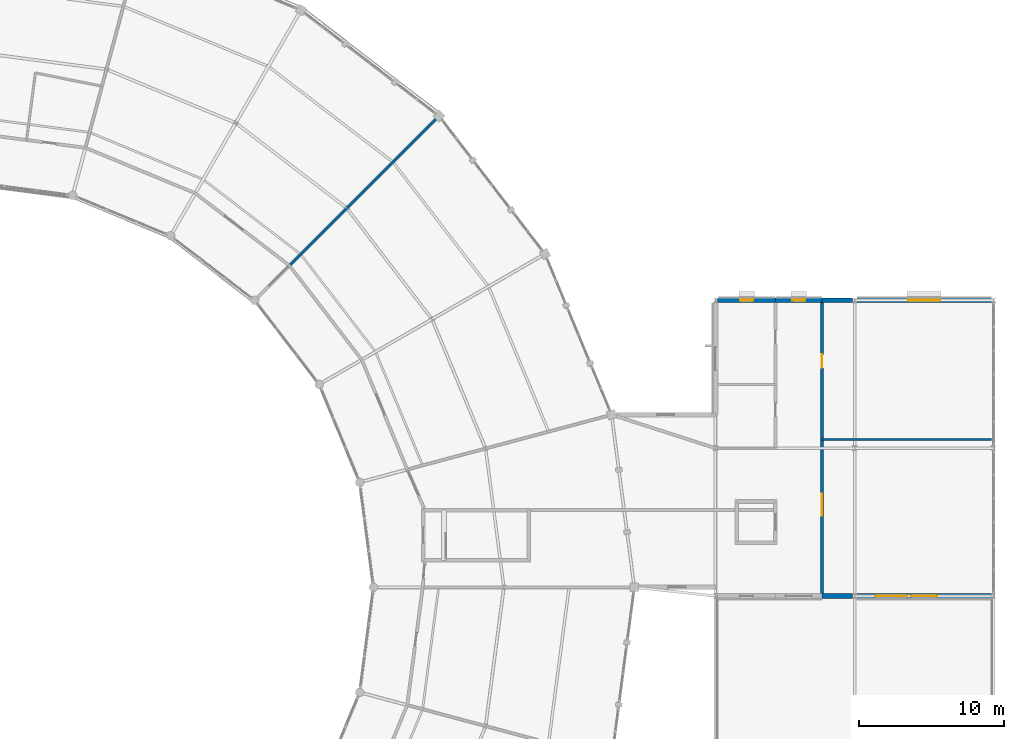
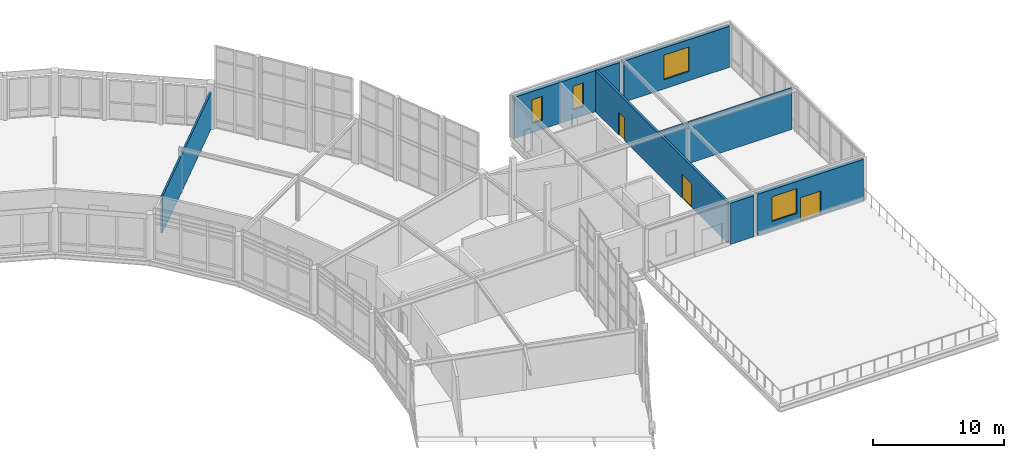
# One storey, part 167 of 185: 9 walls, 4 windows, 3 doors, 7 openings.
"""IFC4 building model written with IfcOpenShell, lengths in metres."""

from ifc_helpers import new_model, si_unit, direction, frame, frame_2d, origin, place, context, subcontext, project, spatial, rectangle, extrude, material, layer, layer_set, type_object, element, fill, save


model = new_model("IFC4")

# Units and contexts
model_context = context("Model", 3, precision=1e-05, world=origin(), true_north=direction((0.0, 1.0)))
body_context = subcontext(model_context, "Body", "Model", "MODEL_VIEW")
ifc_project = project(units=[si_unit("LENGTHUNIT", "METRE"), si_unit("AREAUNIT", "SQUARE_METRE"), si_unit("VOLUMEUNIT", "CUBIC_METRE"), si_unit("PLANEANGLEUNIT", "RADIAN"), si_unit("MASSUNIT", "GRAM", prefix="KILO")], contexts=[model_context])

# Site, building, storey
site_placement = place(None, origin())
site = spatial("IfcSite", under=ifc_project, at=site_placement, CompositionType="ELEMENT")
building_placement = place(site_placement, origin())
building = spatial("IfcBuilding", under=site, at=building_placement, Name="Vondelvale Polytechnic", CompositionType="ELEMENT")
storey_placement = place(building_placement, frame((0.0, 0.0, 9.60009765625)))
storey = spatial("IfcBuildingStorey", under=building, at=storey_placement, Name="L02", CompositionType="ELEMENT", Elevation=9.60009765625)

# Wall, opening, window
ifc_material_1 = material(Name="Amsterdam School iron-spot clinker clay brickwork", Category="masonry")
ifc_layer_1 = layer(ifc_material_1, 0.320068359375)
ifc_layer_set_1 = layer_set([ifc_layer_1], Name="WL-BRICK-320")
wall_type_1 = type_object("IfcWallType", Name="WL-BRICK-320", PredefinedType="SOLIDWALL", material=ifc_layer_set_1)
wall_1_placement = place(storey_placement, frame((153.7548828125, 91.800048828125, 0.0), z_axis=(0.0, 0.0, 1.0), x_axis=(1.0, 0.0, 0.0)))
wall_1 = element("IfcWall", 1, at=wall_1_placement, inside=storey, type_object=wall_type_1, Name="L02 exterior masonry facade wall", PredefinedType="SOLIDWALL", context=body_context, shape_type="SweptSolid", body=[
    extrude(rectangle(XDim=3.9951171875, YDim=0.320068359375, at=frame_2d((1.99755859375, 0.0))), origin(), (0.0, 0.0, 1.0), 3.82080078125),
])
opening_1_placement = place(wall_1_placement, frame((1.547607421875, 0.0, 0.85009765625)))
opening_1 = element("IfcOpeningElement", 2, at=opening_1_placement, cuts=wall_1, Name="Opening WN-0480", PredefinedType="OPENING", context=body_context, shape_type="SweptSolid", body=[
    extrude(rectangle(XDim=0.89990234375, YDim=2.199951171875, at=frame_2d((0.449951171875, 1.10009765625))), frame((0.0, 0.169921875, 0.0), z_axis=(0.0, -1.0, 0.0), x_axis=(1.0, 0.0, 0.0)), (0.0, 0.0, 1.0), 0.340087890625),
])
ifc_material_2 = material(Name="Double-glazed low-E insulated architectural glass", Category="glass")
window_type_1 = type_object("IfcWindowType", Name="WN-TUR-0900x2200", PartitioningType="SINGLE_PANEL", PredefinedType="WINDOW", material=ifc_material_2)
window_1_placement = place(opening_1_placement, origin())
window_1 = element("IfcWindow", 3, at=window_1_placement, inside=storey, type_object=window_type_1, Name="L02 double-glazed architectural window WN-0480", OverallHeight=2.199951171875, OverallWidth=0.89990234375, PartitioningType="SINGLE_PANEL", PredefinedType="WINDOW", context=body_context, shape_type="SweptSolid", body=[
    extrude(rectangle(XDim=0.89990234375, YDim=2.199951171875, at=frame_2d((0.449951171875, 1.10009765625))), frame((0.0, 0.030029296875, 0.0), z_axis=(0.0, -1.0, 0.0), x_axis=(1.0, 0.0, 0.0)), (0.0, 0.0, 1.0), 0.06005859375),
])
fill(opening_1, window_1)

wall_2_placement = place(storey_placement, frame((157.75, 91.800048828125, 0.0), z_axis=(0.0, 0.0, 1.0), x_axis=(1.0, 0.0, 0.0)))
wall_2 = element("IfcWall", 4, at=wall_2_placement, inside=storey, type_object=wall_type_1, Name="L02 exterior masonry facade wall", PredefinedType="SOLIDWALL", context=body_context, shape_type="SweptSolid", body=[
    extrude(rectangle(XDim=3.199951171875, YDim=0.320068359375, at=frame_2d((1.60009765625, 0.0))), origin(), (0.0, 0.0, 1.0), 3.82080078125),
])
opening_2_placement = place(wall_2_placement, frame((1.14990234375, 0.0, 0.85009765625)))
opening_2 = element("IfcOpeningElement", 5, at=opening_2_placement, cuts=wall_2, Name="Opening WN-0481", PredefinedType="OPENING", context=body_context, shape_type="SweptSolid", body=[
    extrude(rectangle(XDim=0.89990234375, YDim=2.199951171875, at=frame_2d((0.449951171875, 1.10009765625))), frame((0.0, 0.169921875, 0.0), z_axis=(0.0, -1.0, 0.0), x_axis=(1.0, 0.0, 0.0)), (0.0, 0.0, 1.0), 0.340087890625),
])
window_2_placement = place(opening_2_placement, origin())
window_2 = element("IfcWindow", 6, at=window_2_placement, inside=storey, type_object=window_type_1, Name="L02 double-glazed architectural window WN-0481", OverallHeight=2.199951171875, OverallWidth=0.89990234375, PartitioningType="SINGLE_PANEL", PredefinedType="WINDOW", context=body_context, shape_type="SweptSolid", body=[
    extrude(rectangle(XDim=0.89990234375, YDim=2.199951171875, at=frame_2d((0.449951171875, 1.10009765625))), frame((0.0, 0.030029296875, 0.0), z_axis=(0.0, -1.0, 0.0), x_axis=(1.0, 0.0, 0.0)), (0.0, 0.0, 1.0), 0.06005859375),
])
fill(opening_2, window_2)

# Wall
wall_3_placement = place(storey_placement, frame((160.949951171875, 91.800048828125, 0.0), z_axis=(0.0, 0.0, 1.0), x_axis=(1.0, 0.0, 0.0)))
element("IfcWall", 7, at=wall_3_placement, inside=storey, type_object=wall_type_1, Name="L02 exterior masonry facade wall", PredefinedType="SOLIDWALL", context=body_context, shape_type="SweptSolid", body=[
    extrude(rectangle(XDim=2.094970703125, YDim=0.320068359375, at=frame_2d((1.04736328125, 0.0))), origin(), (0.0, 0.0, 1.0), 3.82080078125),
])

# Wall, opening, window
wall_4_placement = place(storey_placement, frame((163.35498046875, 91.800048828125, 0.0), z_axis=(0.0, 0.0, 1.0), x_axis=(1.0, 0.0, 0.0)))
wall_4 = element("IfcWall", 8, at=wall_4_placement, inside=storey, type_object=wall_type_1, Name="L02 exterior masonry facade wall", PredefinedType="SOLIDWALL", context=body_context, shape_type="SweptSolid", body=[
    extrude(rectangle(XDim=9.2900390625, YDim=0.320068359375, at=frame_2d((4.64501953125, 0.0))), origin(), (0.0, 0.0, 1.0), 3.82080078125),
])
opening_3_placement = place(wall_4_placement, frame((3.544921875, 0.0, 0.85009765625)))
opening_3 = element("IfcOpeningElement", 9, at=opening_3_placement, cuts=wall_4, Name="Opening WN-0482", PredefinedType="OPENING", context=body_context, shape_type="SweptSolid", body=[
    extrude(rectangle(XDim=2.199951171875, YDim=2.300048828125, at=frame_2d((1.10009765625, 1.14990234375))), frame((0.0, 0.169921875, 0.0), z_axis=(0.0, -1.0, 0.0), x_axis=(1.0, 0.0, 0.0)), (0.0, 0.0, 1.0), 0.340087890625),
])
window_type_2 = type_object("IfcWindowType", Name="WN-STUDIO-2200x2300", PartitioningType="SINGLE_PANEL", PredefinedType="WINDOW", material=ifc_material_2)
window_3_placement = place(opening_3_placement, origin())
window_3 = element("IfcWindow", 10, at=window_3_placement, inside=storey, type_object=window_type_2, Name="L02 double-glazed architectural window WN-0482", OverallHeight=2.300048828125, OverallWidth=2.199951171875, PartitioningType="SINGLE_PANEL", PredefinedType="WINDOW", context=body_context, shape_type="SweptSolid", body=[
    extrude(rectangle(XDim=2.199951171875, YDim=2.300048828125, at=frame_2d((1.10009765625, 1.14990234375))), frame((0.0, 0.030029296875, 0.0), z_axis=(0.0, -1.0, 0.0), x_axis=(1.0, 0.0, 0.0)), (0.0, 0.0, 1.0), 0.06005859375),
])
fill(opening_3, window_3)

# Wall, openings, door, window
wall_5_placement = place(storey_placement, frame((172.64501953125, 71.39990234375, 0.0), z_axis=(0.0, 0.0, 1.0), x_axis=(-1.0, 0.0, 0.0)))
wall_5 = element("IfcWall", 11, at=wall_5_placement, inside=storey, type_object=wall_type_1, Name="L02 exterior masonry facade wall", PredefinedType="SOLIDWALL", context=body_context, shape_type="SweptSolid", body=[
    extrude(rectangle(XDim=9.2900390625, YDim=0.320068359375, at=frame_2d((4.64501953125, 0.0))), origin(), (0.0, 0.0, 1.0), 3.82080078125),
])
opening_4_placement = place(wall_5_placement, frame((3.7451171875, 0.0, 0.0)))
opening_4 = element("IfcOpeningElement", 12, at=opening_4_placement, cuts=wall_5, Name="Opening ED-040", PredefinedType="OPENING", context=body_context, shape_type="SweptSolid", body=[
    extrude(rectangle(XDim=1.800048828125, YDim=2.199951171875, at=frame_2d((0.89990234375, 1.10009765625))), frame((0.0, 0.169921875, 0.0), z_axis=(0.0, -1.0, 0.0), x_axis=(1.0, 0.0, 0.0)), (0.0, 0.0, 1.0), 0.340087890625),
])
opening_5_placement = place(wall_5_placement, frame((5.8349609375, 0.0, 0.85009765625)))
opening_5 = element("IfcOpeningElement", 13, at=opening_5_placement, cuts=wall_5, Name="Opening WN-0484", PredefinedType="OPENING", context=body_context, shape_type="SweptSolid", body=[
    extrude(rectangle(XDim=2.199951171875, YDim=2.300048828125, at=frame_2d((1.10009765625, 1.14990234375))), frame((0.0, 0.169921875, 0.0), z_axis=(0.0, -1.0, 0.0), x_axis=(1.0, 0.0, 0.0)), (0.0, 0.0, 1.0), 0.340087890625),
])
ifc_material_3 = material(Name="Anodised extruded aluminium 6063-T6", Category="aluminium")
door_type_1 = type_object("IfcDoorType", Name="DR-TER-1800x2200", OperationType="DOUBLE_DOOR_SINGLE_SWING", PredefinedType="DOOR", material=ifc_material_3)
door_1_placement = place(opening_4_placement, origin())
door_1 = element("IfcDoor", 14, at=door_1_placement, inside=storey, type_object=door_type_1, Name="L02 exterior entrance/exit door ED-040", OperationType="DOUBLE_DOOR_SINGLE_SWING", OverallHeight=2.199951171875, OverallWidth=1.800048828125, PredefinedType="DOOR", context=body_context, shape_type="SweptSolid", body=[
    extrude(rectangle(XDim=1.800048828125, YDim=2.199951171875, at=frame_2d((0.89990234375, 1.10009765625))), frame((0.0, 0.02490234375, 0.0), z_axis=(0.0, -1.0, 0.0), x_axis=(1.0, 0.0, 0.0)), (0.0, 0.0, 1.0), 0.050048828125),
])
fill(opening_4, door_1)
window_4_placement = place(opening_5_placement, origin())
window_4 = element("IfcWindow", 15, at=window_4_placement, inside=storey, type_object=window_type_2, Name="L02 double-glazed architectural window WN-0484", OverallHeight=2.300048828125, OverallWidth=2.199951171875, PartitioningType="SINGLE_PANEL", PredefinedType="WINDOW", context=body_context, shape_type="SweptSolid", body=[
    extrude(rectangle(XDim=2.199951171875, YDim=2.300048828125, at=frame_2d((1.10009765625, 1.14990234375))), frame((0.0, 0.030029296875, 0.0), z_axis=(0.0, -1.0, 0.0), x_axis=(1.0, 0.0, 0.0)), (0.0, 0.0, 1.0), 0.06005859375),
])
fill(opening_5, window_4)

# Wall
wall_6_placement = place(storey_placement, frame((163.044921875, 71.39990234375, 0.0), z_axis=(0.0, 0.0, 1.0), x_axis=(-1.0, 0.0, 0.0)))
element("IfcWall", 16, at=wall_6_placement, inside=storey, type_object=wall_type_1, Name="L02 exterior masonry facade wall", PredefinedType="SOLIDWALL", context=body_context, shape_type="SweptSolid", body=[
    extrude(rectangle(XDim=2.094970703125, YDim=0.320068359375, at=frame_2d((1.04736328125, 0.0))), origin(), (0.0, 0.0, 1.0), 3.82080078125),
])

# Wall, openings, doors
ifc_material_4 = material(Name="Fire-rated double-layer plasterboard stud partition")
ifc_layer_2 = layer(ifc_material_4, 0.199951171875)
ifc_layer_set_2 = layer_set([ifc_layer_2], Name="WL-CORR-200")
wall_type_2 = type_object("IfcWallType", Name="WL-CORR-200", PredefinedType="PARTITIONING", material=ifc_layer_set_2)
wall_7_placement = place(storey_placement, frame((160.949951171875, 71.550048828125, 0.0), z_axis=(0.0, 0.0, 1.0), x_axis=(0.0, 1.0, 0.0)))
wall_7 = element("IfcWall", 17, at=wall_7_placement, inside=storey, type_object=wall_type_2, Name="L02 interior acoustic partition", PredefinedType="PARTITIONING", context=body_context, shape_type="SweptSolid", body=[
    extrude(rectangle(XDim=20.099853515625, YDim=0.199951171875, at=frame_2d((10.0498046875, 0.0))), origin(), (0.0, 0.0, 1.0), 3.82080078125),
])
opening_6_placement = place(wall_7_placement, frame((5.39990234375, 0.0, 0.0)))
opening_6 = element("IfcOpeningElement", 18, at=opening_6_placement, cuts=wall_7, Name="Opening ID-0330", PredefinedType="OPENING", context=body_context, shape_type="SweptSolid", body=[
    extrude(rectangle(XDim=1.5, YDim=2.199951171875, at=frame_2d((0.75, 1.10009765625))), frame((0.0, 0.10986328125, 0.0), z_axis=(0.0, -1.0, 0.0), x_axis=(1.0, 0.0, 0.0)), (0.0, 0.0, 1.0), 0.219970703125),
])
opening_7_placement = place(wall_7_placement, frame((15.60009765625, 0.0, 0.0)))
opening_7 = element("IfcOpeningElement", 19, at=opening_7_placement, cuts=wall_7, Name="Opening ID-0331", PredefinedType="OPENING", context=body_context, shape_type="SweptSolid", body=[
    extrude(rectangle(XDim=0.919921875, YDim=2.10009765625, at=frame_2d((0.4599609375, 1.050048828125))), frame((0.0, 0.10986328125, 0.0), z_axis=(0.0, -1.0, 0.0), x_axis=(1.0, 0.0, 0.0)), (0.0, 0.0, 1.0), 0.219970703125),
])
ifc_material_5 = material(Name="Fire-rated solid Tasmanian oak joinery")
door_type_2 = type_object("IfcDoorType", Name="DR-INT-0920x2100", OperationType="SINGLE_SWING_LEFT", PredefinedType="DOOR", material=ifc_material_5)
door_2_placement = place(opening_7_placement, origin())
door_2 = element("IfcDoor", 20, at=door_2_placement, inside=storey, type_object=door_type_2, Name="L02 interior room door ID-0331", OperationType="SINGLE_SWING_LEFT", OverallHeight=2.10009765625, OverallWidth=0.919921875, PredefinedType="DOOR", context=body_context, shape_type="SweptSolid", body=[
    extrude(rectangle(XDim=0.919921875, YDim=2.10009765625, at=frame_2d((0.4599609375, 1.050048828125))), frame((0.0, 0.02490234375, 0.0), z_axis=(0.0, -1.0, 0.0), x_axis=(1.0, 0.0, 0.0)), (0.0, 0.0, 1.0), 0.050048828125),
])
fill(opening_7, door_2)
door_type_3 = type_object("IfcDoorType", Name="DR-LAB-1500x2200", OperationType="DOUBLE_DOOR_SINGLE_SWING", PredefinedType="DOOR", material=ifc_material_5)
door_3_placement = place(opening_6_placement, origin())
door_3 = element("IfcDoor", 21, at=door_3_placement, inside=storey, type_object=door_type_3, Name="L02 interior room door ID-0330", OperationType="DOUBLE_DOOR_SINGLE_SWING", OverallHeight=2.199951171875, OverallWidth=1.5, PredefinedType="DOOR", context=body_context, shape_type="SweptSolid", body=[
    extrude(rectangle(XDim=1.5, YDim=2.199951171875, at=frame_2d((0.75, 1.10009765625))), frame((0.0, 0.02490234375, 0.0), z_axis=(0.0, -1.0, 0.0), x_axis=(1.0, 0.0, 0.0)), (0.0, 0.0, 1.0), 0.050048828125),
])
fill(opening_6, door_3)

# Walls
ifc_layer_3 = layer(ifc_material_4, 0.14990234375)
ifc_layer_set_3 = layer_set([ifc_layer_3], Name="WL-INT-150")
wall_type_3 = type_object("IfcWallType", Name="WL-INT-150", PredefinedType="PARTITIONING", material=ifc_layer_set_3)
wall_8_placement = place(storey_placement, frame((160.949951171875, 82.199951171875, 0.0), z_axis=(0.0, 0.0, 1.0), x_axis=(1.0, 0.0, 0.0)))
element("IfcWall", 22, at=wall_8_placement, inside=storey, type_object=wall_type_3, Name="L02 interior acoustic partition", PredefinedType="PARTITIONING", context=body_context, shape_type="SweptSolid", body=[
    extrude(rectangle(XDim=11.699951171875, YDim=0.14990234375, at=frame_2d((5.85009765625, 0.0))), origin(), (0.0, 0.0, 1.0), 3.82080078125),
])
wall_9_placement = place(storey_placement, frame((124.203125, 94.203125, 0.0), z_axis=(0.0, 0.0, 1.0), x_axis=(0.707106781187, 0.707106781187, 0.0)))
element("IfcWall", 23, at=wall_9_placement, inside=storey, type_object=wall_type_3, Name="L02 interior acoustic partition", PredefinedType="PARTITIONING", context=body_context, shape_type="SweptSolid", body=[
    extrude(rectangle(XDim=14.480224609375, YDim=0.14990234375, at=frame_2d((7.240234375, 0.0))), origin(), (0.0, 0.0, 1.0), 3.39697265625),
])

save(model, "model.ifc")
